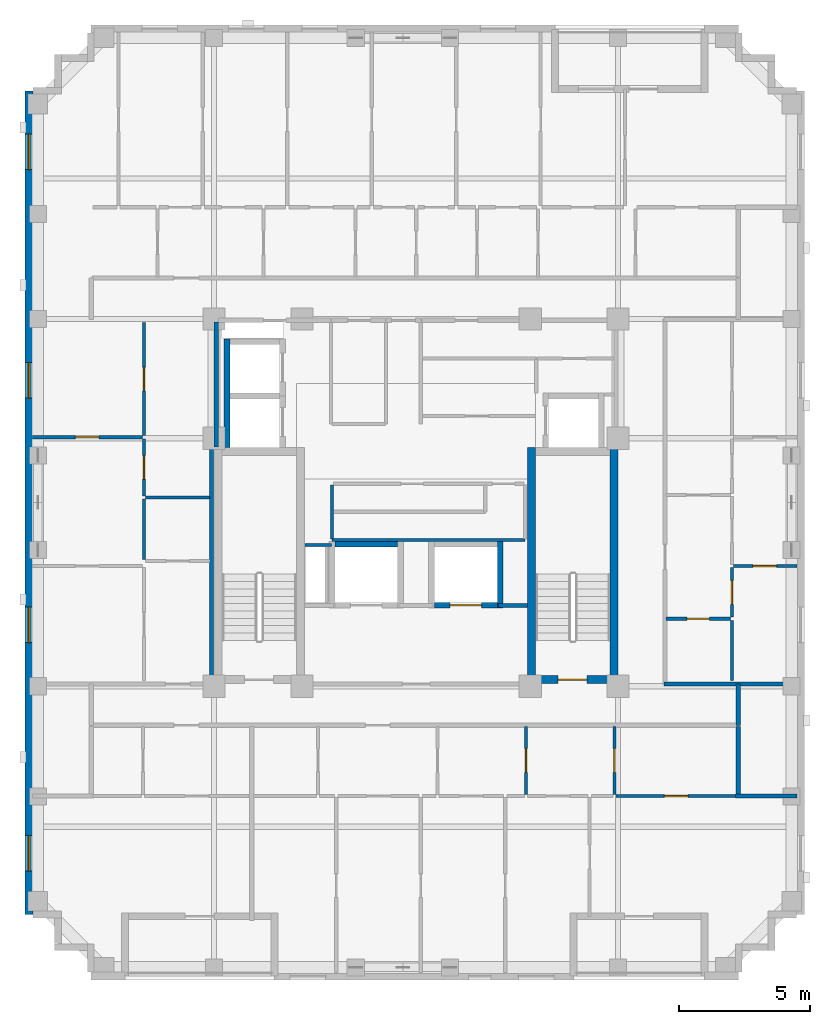
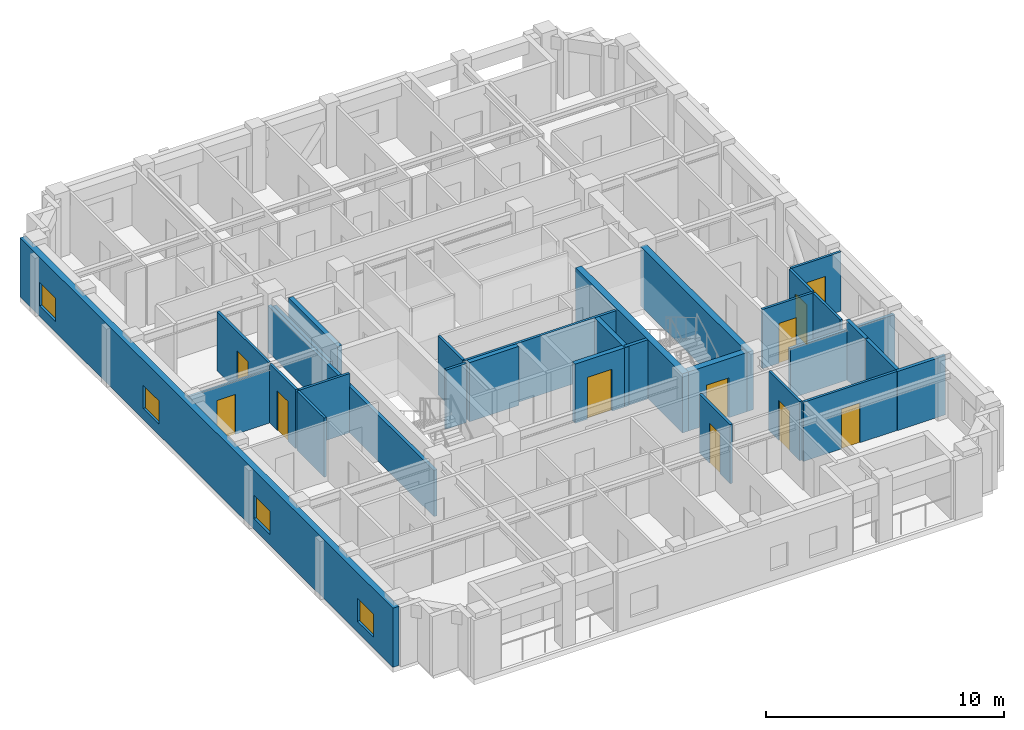
# One storey, part 4 of 11: 30 walls, 11 doors, 4 windows, 15 openings.
"""IFC4 building model written with IfcOpenShell, lengths in metres."""

from ifc_helpers import new_model, si_unit, derived_unit, direction, frame, frame_2d, origin, place, context, subcontext, project, spatial, rectangle, extrude, material, layer, layer_set, type_object, element, fill, save


model = new_model("IFC4")

# Units and contexts
model_context = context("Model", 3, precision=1e-05, world=origin(), true_north=direction((0.0, 1.0)))
body_context = subcontext(model_context, "Body", "Model", "MODEL_VIEW")
ifc_project = project(units=[si_unit("LENGTHUNIT", "METRE"), si_unit("AREAUNIT", "SQUARE_METRE"), si_unit("VOLUMEUNIT", "CUBIC_METRE"), si_unit("PLANEANGLEUNIT", "RADIAN"), si_unit("MASSUNIT", "GRAM", prefix="KILO"), derived_unit("THERMALTRANSMITTANCEUNIT", [(si_unit("MASSUNIT", "GRAM", prefix="KILO"), 1), (si_unit("TIMEUNIT", "SECOND"), -3), (si_unit("THERMODYNAMICTEMPERATUREUNIT", "KELVIN"), -1)])], contexts=[model_context])

# Site, building, storey
site_placement = place(None, origin())
site = spatial("IfcSite", under=ifc_project, at=site_placement, CompositionType="ELEMENT")
building_placement = place(site_placement, origin())
building = spatial("IfcBuilding", under=site, at=building_placement, Name="Korrvale Station Residences", CompositionType="ELEMENT")
storey_placement = place(building_placement, frame((0.0, 0.0, 197.5)))
storey = spatial("IfcBuildingStorey", under=building, at=storey_placement, Name="L57", CompositionType="ELEMENT", Elevation=197.5)

# Walls
ifc_material_1 = material(Name="Concrete C50/60", Category="concrete")
ifc_layer_1 = layer(ifc_material_1, 0.300048828125, Name="Concrete C50/60")
ifc_layer_set_1 = layer_set([ifc_layer_1], Name="Concrete C50/60")
wall_type_1 = type_object("IfcWallType", Name="WAL-CORE-300-C50", PredefinedType="SHEAR", material=ifc_layer_set_1)
for number, where, z_axis, x_axis, name in (
    (1, (29.89990234375, 15.10009765625, 0.0), (0.0, 0.0, 1.0), (0.0, 1.0, 0.0), "L57 ST-2 Core Shear Wall West"),
    (2, (33.050048828125, 15.10009765625, 0.0), (0.0, 0.0, 1.0), (0.0, 1.0, 0.0), "L57 ST-2 Core Shear Wall East"),
):
    element("IfcWall", number, at=place(storey_placement, frame(where, z_axis=z_axis, x_axis=x_axis)), inside=storey, type_object=wall_type_1, Name=name, PredefinedType="SHEAR", context=body_context, shape_type="SweptSolid", body=[
        extrude(rectangle(XDim=9.0, YDim=0.300048828125, at=frame_2d((4.5, 0.0))), origin(), (0.0, 0.0, 1.0), 3.0400390625),
    ])

# Wall, opening, door
wall_1_placement = place(storey_placement, frame((30.050048828125, 15.25, 0.0), z_axis=(0.0, 0.0, 1.0), x_axis=(1.0, 0.0, 0.0)))
wall_1 = element("IfcWall", 3, at=wall_1_placement, inside=storey, type_object=wall_type_1, Name="L57 ST-2 Core Shear Wall South", PredefinedType="SHEAR", context=body_context, shape_type="SweptSolid", body=[
    extrude(rectangle(XDim=2.849853515625, YDim=0.300048828125, at=frame_2d((1.4248046875, 0.0))), origin(), (0.0, 0.0, 1.0), 3.0400390625),
])
opening_1_placement = place(wall_1_placement, frame((0.860107421875, 0.0, 0.0)))
opening_1 = element("IfcOpeningElement", 4, at=opening_1_placement, cuts=wall_1, Name="Opening SD-1100", PredefinedType="OPENING", context=body_context, shape_type="SweptSolid", body=[
    extrude(rectangle(XDim=1.10009765625, YDim=2.050048828125, at=frame_2d((0.550048828125, 1.02490234375))), frame((0.0, 0.16015625, 0.0), z_axis=(0.0, -1.0, 0.0), x_axis=(1.0, 0.0, 0.0)), (0.0, 0.0, 1.0), 0.320068359375),
])
ifc_material_2 = material(Name="Hollow-metal fire-rated stair door with closer", Category="steel")
door_type_1 = type_object("IfcDoorType", Name="DR-STAIR-1100", OperationType="NOTDEFINED", PredefinedType="DOOR", material=ifc_material_2)
door_1_placement = place(opening_1_placement, origin())
door_1 = element("IfcDoor", 5, at=door_1_placement, inside=storey, type_object=door_type_1, Name="L57 ST-2 Exit Stair Door", OperationType="SINGLE_SWING_RIGHT", OverallHeight=2.050048828125, OverallWidth=1.10009765625, PredefinedType="DOOR", context=body_context, shape_type="SweptSolid", body=[
    extrude(rectangle(XDim=1.10009765625, YDim=2.050048828125, at=frame_2d((0.550048828125, 1.02490234375))), frame((0.0, 0.02490234375, 0.0), z_axis=(0.0, -1.0, 0.0), x_axis=(1.0, 0.0, 0.0)), (0.0, 0.0, 1.0), 0.050048828125),
])
fill(opening_1, door_1)

# Wall, openings, windows
ifc_material_3 = material(Name="Precast concrete C45/55", Category="concrete")
ifc_layer_2 = layer(ifc_material_3, 0.300048828125, Name="Precast concrete C45/55")
ifc_layer_set_2 = layer_set([ifc_layer_2], Name="Precast concrete C45/55")
wall_type_2 = type_object("IfcWallType", Name="WAL-EXT-PC300", PredefinedType="SOLIDWALL", material=ifc_layer_set_2)
wall_2_placement = place(storey_placement, frame((10.75, 6.300048828125, 0.0), z_axis=(0.0, 0.0, 1.0), x_axis=(0.0, 1.0, 0.0)))
wall_2 = element("IfcWall", 6, at=wall_2_placement, inside=storey, type_object=wall_type_2, Name="L57 West Exterior Precast Wall 1", PredefinedType="SOLIDWALL", context=body_context, shape_type="SweptSolid", body=[
    extrude(rectangle(XDim=31.39990234375, YDim=0.300048828125, at=frame_2d((15.699951171875, 0.0))), origin(), (0.0, 0.0, 1.0), 3.0400390625),
])
opening_2_placement = place(wall_2_placement, frame((1.653076171875, 0.0, 0.550048828125)))
opening_2 = element("IfcOpeningElement", 7, at=opening_2_placement, cuts=wall_2, Name="Opening W-10", PredefinedType="OPENING", context=body_context, shape_type="SweptSolid", body=[
    extrude(rectangle(XDim=1.35009765625, YDim=1.199951171875, at=frame_2d((0.675048828125, 0.60009765625))), frame((0.0, 0.16015625, 0.0), z_axis=(0.0, -1.0, 0.0), x_axis=(1.0, 0.0, 0.0)), (0.0, 0.0, 1.0), 0.320068359375),
])
opening_3_placement = place(wall_2_placement, frame((28.39599609375, 0.0, 0.550048828125)))
opening_3 = element("IfcOpeningElement", 8, at=opening_3_placement, cuts=wall_2, Name="Opening W-10", PredefinedType="OPENING", context=body_context, shape_type="SweptSolid", body=[
    extrude(rectangle(XDim=1.35009765625, YDim=1.199951171875, at=frame_2d((0.675048828125, 0.60009765625))), frame((0.0, 0.16015625, 0.0), z_axis=(0.0, -1.0, 0.0), x_axis=(1.0, 0.0, 0.0)), (0.0, 0.0, 1.0), 0.320068359375),
])
opening_4_placement = place(wall_2_placement, frame((10.366943359375, 0.0, 0.550048828125)))
opening_4 = element("IfcOpeningElement", 9, at=opening_4_placement, cuts=wall_2, Name="Opening W-10", PredefinedType="OPENING", context=body_context, shape_type="SweptSolid", body=[
    extrude(rectangle(XDim=1.35009765625, YDim=1.199951171875, at=frame_2d((0.675048828125, 0.60009765625))), frame((0.0, 0.16015625, 0.0), z_axis=(0.0, -1.0, 0.0), x_axis=(1.0, 0.0, 0.0)), (0.0, 0.0, 1.0), 0.320068359375),
])
opening_5_placement = place(wall_2_placement, frame((19.68310546875, 0.0, 0.550048828125)))
opening_5 = element("IfcOpeningElement", 10, at=opening_5_placement, cuts=wall_2, Name="Opening W-10", PredefinedType="OPENING", context=body_context, shape_type="SweptSolid", body=[
    extrude(rectangle(XDim=1.35009765625, YDim=1.199951171875, at=frame_2d((0.675048828125, 0.60009765625))), frame((0.0, 0.16015625, 0.0), z_axis=(0.0, -1.0, 0.0), x_axis=(1.0, 0.0, 0.0)), (0.0, 0.0, 1.0), 0.320068359375),
])
ifc_material_4 = material(Name="Thermally broken aluminium frame with triple low-e glazing", Category="aluminium")
window_type = type_object("IfcWindowType", Name="WIN-W10", PartitioningType="SINGLE_PANEL", PredefinedType="WINDOW", material=ifc_material_4)
window_1_placement = place(opening_2_placement, origin())
window_1 = element("IfcWindow", 11, at=window_1_placement, inside=storey, type_object=window_type, Name="L57 Punched Window 01", OverallHeight=1.199951171875, OverallWidth=1.35009765625, PartitioningType="SINGLE_PANEL", PredefinedType="WINDOW", context=body_context, shape_type="SweptSolid", body=[
    extrude(rectangle(XDim=1.35009765625, YDim=1.199951171875, at=frame_2d((0.675048828125, 0.60009765625))), frame((0.0, 0.030029296875, 0.0), z_axis=(0.0, -1.0, 0.0), x_axis=(1.0, 0.0, 0.0)), (0.0, 0.0, 1.0), 0.06005859375),
])
fill(opening_2, window_1)
window_2_placement = place(opening_3_placement, origin())
window_2 = element("IfcWindow", 12, at=window_2_placement, inside=storey, type_object=window_type, Name="L57 Punched Window 06", OverallHeight=1.199951171875, OverallWidth=1.35009765625, PartitioningType="SINGLE_PANEL", PredefinedType="WINDOW", context=body_context, shape_type="SweptSolid", body=[
    extrude(rectangle(XDim=1.35009765625, YDim=1.199951171875, at=frame_2d((0.675048828125, 0.60009765625))), frame((0.0, 0.030029296875, 0.0), z_axis=(0.0, -1.0, 0.0), x_axis=(1.0, 0.0, 0.0)), (0.0, 0.0, 1.0), 0.06005859375),
])
fill(opening_3, window_2)
window_3_placement = place(opening_4_placement, origin())
window_3 = element("IfcWindow", 13, at=window_3_placement, inside=storey, type_object=window_type, Name="L57 Punched Window 13", OverallHeight=1.199951171875, OverallWidth=1.35009765625, PartitioningType="SINGLE_PANEL", PredefinedType="WINDOW", context=body_context, shape_type="SweptSolid", body=[
    extrude(rectangle(XDim=1.35009765625, YDim=1.199951171875, at=frame_2d((0.675048828125, 0.60009765625))), frame((0.0, 0.030029296875, 0.0), z_axis=(0.0, -1.0, 0.0), x_axis=(1.0, 0.0, 0.0)), (0.0, 0.0, 1.0), 0.06005859375),
])
fill(opening_4, window_3)
window_4_placement = place(opening_5_placement, origin())
window_4 = element("IfcWindow", 14, at=window_4_placement, inside=storey, type_object=window_type, Name="L57 Punched Window 14", OverallHeight=1.199951171875, OverallWidth=1.35009765625, PartitioningType="SINGLE_PANEL", PredefinedType="WINDOW", context=body_context, shape_type="SweptSolid", body=[
    extrude(rectangle(XDim=1.35009765625, YDim=1.199951171875, at=frame_2d((0.675048828125, 0.60009765625))), frame((0.0, 0.030029296875, 0.0), z_axis=(0.0, -1.0, 0.0), x_axis=(1.0, 0.0, 0.0)), (0.0, 0.0, 1.0), 0.06005859375),
])
fill(opening_5, window_4)

# Walls
ifc_material_5 = material(Name="Acoustic steel-stud gypsum board partition", Category="steel")
ifc_layer_3 = layer(ifc_material_5, 0.1201171875, Name="Acoustic steel-stud gypsum board partition")
ifc_layer_set_3 = layer_set([ifc_layer_3], Name="Acoustic steel-stud gypsum board partition")
wall_type_3 = type_object("IfcWallType", Name="WAL-PART-125", PredefinedType="PARTITIONING", material=ifc_layer_set_3)
wall_3_placement = place(storey_placement, frame((22.280029296875, 20.3798828125, 0.0), z_axis=(0.0, 0.0, 1.0), x_axis=(-1.0, 0.0, 0.0)))
element("IfcWall", 15, at=wall_3_placement, inside=storey, type_object=wall_type_3, Name="L57 Core Partition CW-RSWT-N", PredefinedType="PARTITIONING", context=body_context, shape_type="SweptSolid", body=[
    extrude(rectangle(XDim=1.02001953125, YDim=0.1201171875, at=frame_2d((0.510009765625, 0.0))), origin(), (0.0, 0.0, 1.0), 3.0400390625),
])
wall_4_placement = place(storey_placement, frame((22.300048828125, 20.580078125, 0.0), z_axis=(0.0, 0.0, 1.0), x_axis=(1.0, 0.0, 0.0)))
element("IfcWall", 16, at=wall_4_placement, inside=storey, type_object=wall_type_3, Name="L57 Core Partition CW-FPM-S", PredefinedType="PARTITIONING", context=body_context, shape_type="SweptSolid", body=[
    extrude(rectangle(XDim=7.349853515625, YDim=0.1201171875, at=frame_2d((3.6748046875, 0.0))), origin(), (0.0, 0.0, 1.0), 3.0400390625),
])
wall_5_placement = place(storey_placement, frame((22.300048828125, 20.6201171875, 0.0), z_axis=(0.0, 0.0, 1.0), x_axis=(0.0, 1.0, 0.0)))
element("IfcWall", 17, at=wall_5_placement, inside=storey, type_object=wall_type_3, Name="L57 Core Partition CW-FPM-W", PredefinedType="PARTITIONING", context=body_context, shape_type="SweptSolid", body=[
    extrude(rectangle(XDim=2.059814453125, YDim=0.1201171875, at=frame_2d((1.02978515625, 0.0))), origin(), (0.0, 0.0, 1.0), 3.0400390625),
])

# Wall, opening, door
wall_6_placement = place(storey_placement, frame((29.68896484375, 10.8701171875, 0.0), z_axis=(0.0, 0.0, 1.0), x_axis=(0.0, 1.0, 0.0)))
wall_6 = element("IfcWall", 18, at=wall_6_placement, inside=storey, type_object=wall_type_3, Name="L57 Suite Partition U02-V23", PredefinedType="PARTITIONING", context=body_context, shape_type="SweptSolid", body=[
    extrude(rectangle(XDim=2.599853515625, YDim=0.1201171875, at=frame_2d((1.2998046875, 0.0))), origin(), (0.0, 0.0, 1.0), 3.0400390625),
])
opening_6_placement = place(wall_6_placement, frame((0.85009765625, 0.0, 0.0)))
opening_6 = element("IfcOpeningElement", 19, at=opening_6_placement, cuts=wall_6, Name="Opening DI-900", PredefinedType="OPENING", context=body_context, shape_type="SweptSolid", body=[
    extrude(rectangle(XDim=0.89990234375, YDim=2.050048828125, at=frame_2d((0.449951171875, 1.02490234375))), frame((0.0, 0.070068359375, 0.0), z_axis=(0.0, -1.0, 0.0), x_axis=(1.0, 0.0, 0.0)), (0.0, 0.0, 1.0), 0.14013671875),
])
ifc_material_6 = material(Name="Painted solid-core timber interior room door", Category="wood")
door_type_2 = type_object("IfcDoorType", Name="DR-INT-900", OperationType="NOTDEFINED", PredefinedType="DOOR", material=ifc_material_6)
door_2_placement = place(opening_6_placement, origin())
door_2 = element("IfcDoor", 20, at=door_2_placement, inside=storey, type_object=door_type_2, Name="L57 Studio Apartment L57-U02 Home Study Room Door", OperationType="SINGLE_SWING_LEFT", OverallHeight=2.050048828125, OverallWidth=0.89990234375, PredefinedType="DOOR", context=body_context, shape_type="SweptSolid", body=[
    extrude(rectangle(XDim=0.89990234375, YDim=2.050048828125, at=frame_2d((0.449951171875, 1.02490234375))), frame((0.0, 0.02490234375, 0.0), z_axis=(0.0, -1.0, 0.0), x_axis=(1.0, 0.0, 0.0)), (0.0, 0.0, 1.0), 0.050048828125),
])
fill(opening_6, door_2)

wall_7_placement = place(storey_placement, frame((33.05908203125, 10.8701171875, 0.0), z_axis=(0.0, 0.0, 1.0), x_axis=(0.0, 1.0, 0.0)))
wall_7 = element("IfcWall", 21, at=wall_7_placement, inside=storey, type_object=wall_type_3, Name="L57 Suite Partition U02-V34", PredefinedType="PARTITIONING", context=body_context, shape_type="SweptSolid", body=[
    extrude(rectangle(XDim=2.599853515625, YDim=0.1201171875, at=frame_2d((1.2998046875, 0.0))), origin(), (0.0, 0.0, 1.0), 3.0400390625),
])
opening_7_placement = place(wall_7_placement, frame((0.85009765625, 0.0, 0.0)))
opening_7 = element("IfcOpeningElement", 22, at=opening_7_placement, cuts=wall_7, Name="Opening DI-900", PredefinedType="OPENING", context=body_context, shape_type="SweptSolid", body=[
    extrude(rectangle(XDim=0.89990234375, YDim=2.050048828125, at=frame_2d((0.449951171875, 1.02490234375))), frame((0.0, 0.070068359375, 0.0), z_axis=(0.0, -1.0, 0.0), x_axis=(1.0, 0.0, 0.0)), (0.0, 0.0, 1.0), 0.14013671875),
])
door_3_placement = place(opening_7_placement, origin())
door_3 = element("IfcDoor", 23, at=door_3_placement, inside=storey, type_object=door_type_2, Name="L57 Studio Apartment L57-U02 Home Study Room Door", OperationType="SINGLE_SWING_LEFT", OverallHeight=2.050048828125, OverallWidth=0.89990234375, PredefinedType="DOOR", context=body_context, shape_type="SweptSolid", body=[
    extrude(rectangle(XDim=0.89990234375, YDim=2.050048828125, at=frame_2d((0.449951171875, 1.02490234375))), frame((0.0, 0.02490234375, 0.0), z_axis=(0.0, -1.0, 0.0), x_axis=(1.0, 0.0, 0.0)), (0.0, 0.0, 1.0), 0.050048828125),
])
fill(opening_7, door_3)

wall_8_placement = place(storey_placement, frame((33.118896484375, 10.81005859375, 0.0), z_axis=(0.0, 0.0, 1.0), x_axis=(1.0, 0.0, 0.0)))
wall_8 = element("IfcWall", 24, at=wall_8_placement, inside=storey, type_object=wall_type_3, Name="L57 Suite Partition U02-H49", PredefinedType="PARTITIONING", context=body_context, shape_type="SweptSolid", body=[
    extrude(rectangle(XDim=4.60107421875, YDim=0.1201171875, at=frame_2d((2.300537109375, 0.0))), origin(), (0.0, 0.0, 1.0), 3.0400390625),
])
opening_8_placement = place(wall_8_placement, frame((1.85009765625, 0.0, 0.0)))
opening_8 = element("IfcOpeningElement", 25, at=opening_8_placement, cuts=wall_8, Name="Opening DI-900", PredefinedType="OPENING", context=body_context, shape_type="SweptSolid", body=[
    extrude(rectangle(XDim=0.89990234375, YDim=2.050048828125, at=frame_2d((0.449951171875, 1.02490234375))), frame((0.0, 0.070068359375, 0.0), z_axis=(0.0, -1.0, 0.0), x_axis=(1.0, 0.0, 0.0)), (0.0, 0.0, 1.0), 0.14013671875),
])
door_4_placement = place(opening_8_placement, origin())
door_4 = element("IfcDoor", 26, at=door_4_placement, inside=storey, type_object=door_type_2, Name="L57 Studio Apartment L57-U02 Home Study Room Door", OperationType="SINGLE_SWING_LEFT", OverallHeight=2.050048828125, OverallWidth=0.89990234375, PredefinedType="DOOR", context=body_context, shape_type="SweptSolid", body=[
    extrude(rectangle(XDim=0.89990234375, YDim=2.050048828125, at=frame_2d((0.449951171875, 1.02490234375))), frame((0.0, 0.02490234375, 0.0), z_axis=(0.0, -1.0, 0.0), x_axis=(1.0, 0.0, 0.0)), (0.0, 0.0, 1.0), 0.050048828125),
])
fill(opening_8, door_4)

# Wall
wall_9_placement = place(storey_placement, frame((15.18994140625, 22.18994140625, 0.0), z_axis=(0.0, 0.0, 1.0), x_axis=(1.0, 0.0, 0.0)))
element("IfcWall", 27, at=wall_9_placement, inside=storey, type_object=wall_type_3, Name="L57 Suite Partition U04-H01", PredefinedType="PARTITIONING", context=body_context, shape_type="SweptSolid", body=[
    extrude(rectangle(XDim=2.449951171875, YDim=0.1201171875, at=frame_2d((1.22509765625, 0.0))), origin(), (0.0, 0.0, 1.0), 3.0400390625),
])

# Wall, opening, door
wall_10_placement = place(storey_placement, frame((15.1298828125, 22.25, 0.0), z_axis=(0.0, 0.0, 1.0), x_axis=(0.0, 1.0, 0.0)))
wall_10 = element("IfcWall", 28, at=wall_10_placement, inside=storey, type_object=wall_type_3, Name="L57 Suite Partition U04-V04", PredefinedType="PARTITIONING", context=body_context, shape_type="SweptSolid", body=[
    extrude(rectangle(XDim=2.181884765625, YDim=0.1201171875, at=frame_2d((1.0908203125, 0.0))), origin(), (0.0, 0.0, 1.0), 3.0400390625),
])
opening_9_placement = place(wall_10_placement, frame((0.64111328125, 0.0, 0.0)))
opening_9 = element("IfcOpeningElement", 29, at=opening_9_placement, cuts=wall_10, Name="Opening DI-900", PredefinedType="OPENING", context=body_context, shape_type="SweptSolid", body=[
    extrude(rectangle(XDim=0.89990234375, YDim=2.050048828125, at=frame_2d((0.449951171875, 1.02490234375))), frame((0.0, 0.070068359375, 0.0), z_axis=(0.0, -1.0, 0.0), x_axis=(1.0, 0.0, 0.0)), (0.0, 0.0, 1.0), 0.14013671875),
])
door_5_placement = place(opening_9_placement, origin())
door_5 = element("IfcDoor", 30, at=door_5_placement, inside=storey, type_object=door_type_2, Name="L57 Apartment 2BR L57-U04 Wardrobe Storage Room Door", OperationType="SINGLE_SWING_LEFT", OverallHeight=2.050048828125, OverallWidth=0.89990234375, PredefinedType="DOOR", context=body_context, shape_type="SweptSolid", body=[
    extrude(rectangle(XDim=0.89990234375, YDim=2.050048828125, at=frame_2d((0.449951171875, 1.02490234375))), frame((0.0, 0.02490234375, 0.0), z_axis=(0.0, -1.0, 0.0), x_axis=(1.0, 0.0, 0.0)), (0.0, 0.0, 1.0), 0.050048828125),
])
fill(opening_9, door_5)

wall_11_placement = place(storey_placement, frame((15.1298828125, 24.552001953125, 0.0), z_axis=(0.0, 0.0, 1.0), x_axis=(0.0, 1.0, 0.0)))
wall_11 = element("IfcWall", 31, at=wall_11_placement, inside=storey, type_object=wall_type_3, Name="L57 Suite Partition U04-V05", PredefinedType="PARTITIONING", context=body_context, shape_type="SweptSolid", body=[
    extrude(rectangle(XDim=4.30810546875, YDim=0.1201171875, at=frame_2d((2.154052734375, 0.0))), origin(), (0.0, 0.0, 1.0), 3.0400390625),
])
opening_10_placement = place(wall_11_placement, frame((1.7041015625, 0.0, 0.0)))
opening_10 = element("IfcOpeningElement", 32, at=opening_10_placement, cuts=wall_11, Name="Opening DI-900", PredefinedType="OPENING", context=body_context, shape_type="SweptSolid", body=[
    extrude(rectangle(XDim=0.89990234375, YDim=2.050048828125, at=frame_2d((0.449951171875, 1.02490234375))), frame((0.0, 0.070068359375, 0.0), z_axis=(0.0, -1.0, 0.0), x_axis=(1.0, 0.0, 0.0)), (0.0, 0.0, 1.0), 0.14013671875),
])
door_6_placement = place(opening_10_placement, origin())
door_6 = element("IfcDoor", 33, at=door_6_placement, inside=storey, type_object=door_type_2, Name="L57 Apartment 2BR L57-U04 Wardrobe Storage Room Door", OperationType="SINGLE_SWING_RIGHT", OverallHeight=2.050048828125, OverallWidth=0.89990234375, PredefinedType="DOOR", context=body_context, shape_type="SweptSolid", body=[
    extrude(rectangle(XDim=0.89990234375, YDim=2.050048828125, at=frame_2d((0.449951171875, 1.02490234375))), frame((0.0, 0.02490234375, 0.0), z_axis=(0.0, -1.0, 0.0), x_axis=(1.0, 0.0, 0.0)), (0.0, 0.0, 1.0), 0.050048828125),
])
fill(opening_10, door_6)

# Wall
wall_12_placement = place(storey_placement, frame((15.1298828125, 19.830078125, 0.0), z_axis=(0.0, 0.0, 1.0), x_axis=(0.0, 1.0, 0.0)))
element("IfcWall", 34, at=wall_12_placement, inside=storey, type_object=wall_type_3, Name="L57 Suite Partition U04-V14", PredefinedType="PARTITIONING", context=body_context, shape_type="SweptSolid", body=[
    extrude(rectangle(XDim=2.2998046875, YDim=0.1201171875, at=frame_2d((1.14990234375, 0.0))), origin(), (0.0, 0.0, 1.0), 3.0400390625),
])

# Wall, opening, door
wall_13_placement = place(storey_placement, frame((10.8798828125, 24.491943359375, 0.0), z_axis=(0.0, 0.0, 1.0), x_axis=(1.0, 0.0, 0.0)))
wall_13 = element("IfcWall", 35, at=wall_13_placement, inside=storey, type_object=wall_type_3, Name="L57 Suite Partition U04-H45", PredefinedType="PARTITIONING", context=body_context, shape_type="SweptSolid", body=[
    extrude(rectangle(XDim=4.190185546875, YDim=0.1201171875, at=frame_2d((2.09521484375, 0.0))), origin(), (0.0, 0.0, 1.0), 2.721923828125),
])
opening_11_placement = place(wall_13_placement, frame((1.6298828125, 0.0, 0.0)))
opening_11 = element("IfcOpeningElement", 36, at=opening_11_placement, cuts=wall_13, Name="Opening DI-900", PredefinedType="OPENING", context=body_context, shape_type="SweptSolid", body=[
    extrude(rectangle(XDim=0.89990234375, YDim=2.050048828125, at=frame_2d((0.449951171875, 1.02490234375))), frame((0.0, 0.070068359375, 0.0), z_axis=(0.0, -1.0, 0.0), x_axis=(1.0, 0.0, 0.0)), (0.0, 0.0, 1.0), 0.14013671875),
])
door_7_placement = place(opening_11_placement, origin())
door_7 = element("IfcDoor", 37, at=door_7_placement, inside=storey, type_object=door_type_2, Name="L57 Apartment 2BR L57-U04 Living and Dining Room Door", OperationType="SINGLE_SWING_RIGHT", OverallHeight=2.050048828125, OverallWidth=0.89990234375, PredefinedType="DOOR", context=body_context, shape_type="SweptSolid", body=[
    extrude(rectangle(XDim=0.89990234375, YDim=2.050048828125, at=frame_2d((0.449951171875, 1.02490234375))), frame((0.0, 0.02490234375, 0.0), z_axis=(0.0, -1.0, 0.0), x_axis=(1.0, 0.0, 0.0)), (0.0, 0.0, 1.0), 0.050048828125),
])
fill(opening_11, door_7)

wall_14_placement = place(storey_placement, frame((35.030029296875, 17.570068359375, 0.0), z_axis=(0.0, 0.0, 1.0), x_axis=(1.0, 0.0, 0.0)))
wall_14 = element("IfcWall", 38, at=wall_14_placement, inside=storey, type_object=wall_type_3, Name="L57 Suite Partition U05-H12", PredefinedType="PARTITIONING", context=body_context, shape_type="SweptSolid", body=[
    extrude(rectangle(XDim=2.449951171875, YDim=0.1201171875, at=frame_2d((1.22509765625, 0.0))), origin(), (0.0, 0.0, 1.0), 3.0400390625),
])
opening_12_placement = place(wall_14_placement, frame((0.794921875, 0.0, 0.0)))
opening_12 = element("IfcOpeningElement", 39, at=opening_12_placement, cuts=wall_14, Name="Opening DB-860", PredefinedType="OPENING", context=body_context, shape_type="SweptSolid", body=[
    extrude(rectangle(XDim=0.860107421875, YDim=2.050048828125, at=frame_2d((0.43017578125, 1.02490234375))), frame((0.0, 0.070068359375, 0.0), z_axis=(0.0, -1.0, 0.0), x_axis=(1.0, 0.0, 0.0)), (0.0, 0.0, 1.0), 0.14013671875),
])
ifc_material_7 = material(Name="Moisture-resistant solid-core bathroom door", Category="timber")
door_type_3 = type_object("IfcDoorType", Name="DR-BATH-860", OperationType="NOTDEFINED", PredefinedType="DOOR", material=ifc_material_7)
door_8_placement = place(opening_12_placement, origin())
door_8 = element("IfcDoor", 40, at=door_8_placement, inside=storey, type_object=door_type_3, Name="L57 Apartment 2BR L57-U05 Bathroom Door", OperationType="SINGLE_SWING_RIGHT", OverallHeight=2.050048828125, OverallWidth=0.860107421875, PredefinedType="DOOR", context=body_context, shape_type="SweptSolid", body=[
    extrude(rectangle(XDim=0.860107421875, YDim=2.050048828125, at=frame_2d((0.43017578125, 1.02490234375))), frame((0.0, 0.02490234375, 0.0), z_axis=(0.0, -1.0, 0.0), x_axis=(1.0, 0.0, 0.0)), (0.0, 0.0, 1.0), 0.050048828125),
])
fill(opening_12, door_8)

# Wall
wall_15_placement = place(storey_placement, frame((37.5400390625, 15.2099609375, 0.0), z_axis=(0.0, 0.0, 1.0), x_axis=(0.0, 1.0, 0.0)))
element("IfcWall", 41, at=wall_15_placement, inside=storey, type_object=wall_type_3, Name="L57 Suite Partition U05-V13", PredefinedType="PARTITIONING", context=body_context, shape_type="SweptSolid", body=[
    extrude(rectangle(XDim=2.300048828125, YDim=0.1201171875, at=frame_2d((1.14990234375, 0.0))), origin(), (0.0, 0.0, 1.0), 3.0400390625),
])

# Wall, opening, door
wall_16_placement = place(storey_placement, frame((37.5400390625, 17.6298828125, 0.0), z_axis=(0.0, 0.0, 1.0), x_axis=(0.0, 1.0, 0.0)))
wall_16 = element("IfcWall", 42, at=wall_16_placement, inside=storey, type_object=wall_type_3, Name="L57 Suite Partition U05-V23", PredefinedType="PARTITIONING", context=body_context, shape_type="SweptSolid", body=[
    extrude(rectangle(XDim=1.88818359375, YDim=0.1201171875, at=frame_2d((0.944091796875, 0.0))), origin(), (0.0, 0.0, 1.0), 3.0400390625),
])
opening_13_placement = place(wall_16_placement, frame((0.493896484375, 0.0, 0.0)))
opening_13 = element("IfcOpeningElement", 43, at=opening_13_placement, cuts=wall_16, Name="Opening DI-900", PredefinedType="OPENING", context=body_context, shape_type="SweptSolid", body=[
    extrude(rectangle(XDim=0.89990234375, YDim=2.050048828125, at=frame_2d((0.449951171875, 1.02490234375))), frame((0.0, 0.070068359375, 0.0), z_axis=(0.0, -1.0, 0.0), x_axis=(1.0, 0.0, 0.0)), (0.0, 0.0, 1.0), 0.14013671875),
])
door_9_placement = place(opening_13_placement, origin())
door_9 = element("IfcDoor", 44, at=door_9_placement, inside=storey, type_object=door_type_2, Name="L57 Apartment 2BR L57-U05 Kitchen Door", OperationType="SINGLE_SWING_LEFT", OverallHeight=2.050048828125, OverallWidth=0.89990234375, PredefinedType="DOOR", context=body_context, shape_type="SweptSolid", body=[
    extrude(rectangle(XDim=0.89990234375, YDim=2.050048828125, at=frame_2d((0.449951171875, 1.02490234375))), frame((0.0, 0.02490234375, 0.0), z_axis=(0.0, -1.0, 0.0), x_axis=(1.0, 0.0, 0.0)), (0.0, 0.0, 1.0), 0.050048828125),
])
fill(opening_13, door_9)

wall_17_placement = place(storey_placement, frame((37.60009765625, 19.577880859375, 0.0), z_axis=(0.0, 0.0, 1.0), x_axis=(1.0, 0.0, 0.0)))
wall_17 = element("IfcWall", 45, at=wall_17_placement, inside=storey, type_object=wall_type_3, Name="L57 Suite Partition U05-H34", PredefinedType="PARTITIONING", context=body_context, shape_type="SweptSolid", body=[
    extrude(rectangle(XDim=2.419921875, YDim=0.1201171875, at=frame_2d((1.2099609375, 0.0))), origin(), (0.0, 0.0, 1.0), 3.0400390625),
])
opening_14_placement = place(wall_17_placement, frame((0.7451171875, 0.0, 0.0)))
opening_14 = element("IfcOpeningElement", 46, at=opening_14_placement, cuts=wall_17, Name="Opening DI-900", PredefinedType="OPENING", context=body_context, shape_type="SweptSolid", body=[
    extrude(rectangle(XDim=0.89990234375, YDim=2.050048828125, at=frame_2d((0.449951171875, 1.02490234375))), frame((0.0, 0.070068359375, 0.0), z_axis=(0.0, -1.0, 0.0), x_axis=(1.0, 0.0, 0.0)), (0.0, 0.0, 1.0), 0.14013671875),
])
door_10_placement = place(opening_14_placement, origin())
door_10 = element("IfcDoor", 47, at=door_10_placement, inside=storey, type_object=door_type_2, Name="L57 Apartment 2BR L57-U05 Bedroom 1 Door", OperationType="SINGLE_SWING_LEFT", OverallHeight=2.050048828125, OverallWidth=0.89990234375, PredefinedType="DOOR", context=body_context, shape_type="SweptSolid", body=[
    extrude(rectangle(XDim=0.89990234375, YDim=2.050048828125, at=frame_2d((0.449951171875, 1.02490234375))), frame((0.0, 0.02490234375, 0.0), z_axis=(0.0, -1.0, 0.0), x_axis=(1.0, 0.0, 0.0)), (0.0, 0.0, 1.0), 0.050048828125),
])
fill(opening_14, door_10)

# Walls
ifc_material_8 = material(Name="Fire-rated twin-stud gypsum and mineral wool shaftwall assembly", Category="gypsum")
ifc_layer_4 = layer(ifc_material_8, 0.159912109375, Name="Fire-rated twin-stud gypsum and mineral wool shaftwall assembly")
ifc_layer_set_4 = layer_set([ifc_layer_4], Name="Fire-rated twin-stud gypsum and mineral wool shaftwall assembly")
wall_type_4 = type_object("IfcWallType", Name="WAL-PART-200", PredefinedType="PARTITIONING", material=ifc_layer_set_4)
wall_18_placement = place(storey_placement, frame((28.64990234375, 18.080078125, 0.0), z_axis=(0.0, 0.0, 1.0), x_axis=(1.0, 0.0, 0.0)))
element("IfcWall", 48, at=wall_18_placement, inside=storey, type_object=wall_type_4, Name="L57 Core Partition CW-FFL-N3", PredefinedType="PARTITIONING", context=body_context, shape_type="SweptSolid", body=[
    extrude(rectangle(XDim=1.10009765625, YDim=0.159912109375, at=frame_2d((0.550048828125, 0.0))), origin(), (0.0, 0.0, 1.0), 3.0400390625),
])
wall_19_placement = place(storey_placement, frame((17.8798828125, 24.1201171875, 0.0), z_axis=(0.0, 0.0, 1.0), x_axis=(0.0, 1.0, 0.0)))
element("IfcWall", 49, at=wall_19_placement, inside=storey, type_object=wall_type_4, Name="L57 Core Partition CW-W-N", PredefinedType="PARTITIONING", context=body_context, shape_type="SweptSolid", body=[
    extrude(rectangle(XDim=4.759765625, YDim=0.159912109375, at=frame_2d((2.3798828125, 0.0))), origin(), (0.0, 0.0, 1.0), 2.375),
])
wall_20_placement = place(storey_placement, frame((37.780029296875, 13.510009765625, 0.0), z_axis=(0.0, 0.0, 1.0), x_axis=(0.0, 1.0, 0.0)))
element("IfcWall", 50, at=wall_20_placement, inside=storey, type_object=wall_type_4, Name="L57 Corridor South East Cap", PredefinedType="PARTITIONING", context=body_context, shape_type="SweptSolid", body=[
    extrude(rectangle(XDim=1.580078125, YDim=0.159912109375, at=frame_2d((0.7900390625, 0.0))), origin(), (0.0, 0.0, 1.0), 3.0400390625),
])
wall_21_placement = place(storey_placement, frame((34.949951171875, 15.090087890625, 0.0), z_axis=(0.0, 0.0, 1.0), x_axis=(1.0, 0.0, 0.0)))
element("IfcWall", 51, at=wall_21_placement, inside=storey, type_object=wall_type_4, Name="L57 East Wing South Corridor Wall", PredefinedType="PARTITIONING", context=body_context, shape_type="SweptSolid", body=[
    extrude(rectangle(XDim=5.070068359375, YDim=0.159912109375, at=frame_2d((2.53515625, 0.0))), origin(), (0.0, 0.0, 1.0), 2.555908203125),
])
wall_22_placement = place(storey_placement, frame((37.679931640625, 10.81005859375, 0.0), z_axis=(0.0, 0.0, 1.0), x_axis=(1.0, 0.0, 0.0)))
element("IfcWall", 52, at=wall_22_placement, inside=storey, type_object=wall_type_4, Name="L57 Corner Step Wall U02-R", PredefinedType="PARTITIONING", context=body_context, shape_type="SweptSolid", body=[
    extrude(rectangle(XDim=2.340087890625, YDim=0.159912109375, at=frame_2d((1.169921875, 0.0))), origin(), (0.0, 0.0, 1.0), 3.0400390625),
])
wall_23_placement = place(storey_placement, frame((37.780029296875, 10.81005859375, 0.0), z_axis=(0.0, 0.0, 1.0), x_axis=(0.0, 1.0, 0.0)))
element("IfcWall", 53, at=wall_23_placement, inside=storey, type_object=wall_type_4, Name="L57 Corner Step Cheek U02-R", PredefinedType="PARTITIONING", context=body_context, shape_type="SweptSolid", body=[
    extrude(rectangle(XDim=2.659912109375, YDim=0.159912109375, at=frame_2d((1.330078125, 0.0))), origin(), (0.0, 0.0, 1.0), 3.0400390625),
])
wall_24_placement = place(storey_placement, frame((17.699951171875, 15.02001953125, 0.0), z_axis=(0.0, 0.0, 1.0), x_axis=(0.0, 1.0, 0.0)))
element("IfcWall", 54, at=wall_24_placement, inside=storey, type_object=wall_type_4, Name="L57 Rated Corridor Wall W", PredefinedType="PARTITIONING", context=body_context, shape_type="SweptSolid", body=[
    extrude(rectangle(XDim=13.97998046875, YDim=0.159912109375, at=frame_2d((6.989990234375, 0.0))), origin(), (0.0, 0.0, 1.0), 2.375),
])
ifc_layer_5 = layer(ifc_material_1, 0.219970703125, Name="Concrete C50/60")
ifc_layer_set_5 = layer_set([ifc_layer_5], Name="Concrete C50/60")
wall_type_5 = type_object("IfcWallType", Name="WAL-SHAFT-220-C50", PredefinedType="SHEAR", material=ifc_layer_set_5)
wall_25_placement = place(storey_placement, frame((18.2900390625, 24.10009765625, 0.0), z_axis=(0.0, 0.0, 1.0), x_axis=(0.0, 1.0, 0.0)))
element("IfcWall", 55, at=wall_25_placement, inside=storey, type_object=wall_type_5, Name="L57 Elevator PH-1 Hoistway Wall West", PredefinedType="SHEAR", context=body_context, shape_type="SweptSolid", body=[
    extrude(rectangle(XDim=4.139892578125, YDim=0.219970703125, at=frame_2d((2.06982421875, 0.0))), origin(), (0.0, 0.0, 1.0), 3.0400390625),
])
wall_26_placement = place(storey_placement, frame((22.39990234375, 20.409912109375, 0.0), z_axis=(0.0, 0.0, 1.0), x_axis=(1.0, 0.0, 0.0)))
element("IfcWall", 56, at=wall_26_placement, inside=storey, type_object=wall_type_5, Name="L57 Elevator FFL-1 Hoistway Wall North", PredefinedType="SHEAR", context=body_context, shape_type="SweptSolid", body=[
    extrude(rectangle(XDim=2.400146484375, YDim=0.219970703125, at=frame_2d((1.2001953125, 0.0))), origin(), (0.0, 0.0, 1.0), 3.0400390625),
])

# Wall, opening, door
wall_27_placement = place(storey_placement, frame((26.199951171875, 18.090087890625, 0.0), z_axis=(0.0, 0.0, 1.0), x_axis=(1.0, 0.0, 0.0)))
wall_27 = element("IfcWall", 57, at=wall_27_placement, inside=storey, type_object=wall_type_5, Name="L57 Elevator FFL-2 Hoistway Wall South", PredefinedType="SHEAR", context=body_context, shape_type="SweptSolid", body=[
    extrude(rectangle(XDim=2.400146484375, YDim=0.219970703125, at=frame_2d((1.2001953125, 0.0))), origin(), (0.0, 0.0, 1.0), 3.0400390625),
])
opening_15_placement = place(wall_27_placement, frame((0.60009765625, 0.0, 0.0)))
opening_15 = element("IfcOpeningElement", 58, at=opening_15_placement, cuts=wall_27, Name="Opening LD-FF1200", PredefinedType="OPENING", context=body_context, shape_type="SweptSolid", body=[
    extrude(rectangle(XDim=1.199951171875, YDim=2.14990234375, at=frame_2d((0.60009765625, 1.074951171875))), frame((0.0, 0.1201171875, 0.0), z_axis=(0.0, -1.0, 0.0), x_axis=(1.0, 0.0, 0.0)), (0.0, 0.0, 1.0), 0.239990234375),
])
ifc_material_9 = material(Name="Stainless-steel firefighter elevator landing sliding door", Category="steel")
door_type_4 = type_object("IfcDoorType", Name="DR-LIFT-FF1200", OperationType="SLIDING_TO_LEFT", PredefinedType="DOOR", material=ifc_material_9)
door_11_placement = place(opening_15_placement, origin())
door_11 = element("IfcDoor", 59, at=door_11_placement, inside=storey, type_object=door_type_4, Name="L57 Elevator FFL-2 Sliding Landing Door", OperationType="SLIDING_TO_LEFT", OverallHeight=2.14990234375, OverallWidth=1.199951171875, PredefinedType="DOOR", context=body_context, shape_type="SweptSolid", body=[
    extrude(rectangle(XDim=1.199951171875, YDim=2.14990234375, at=frame_2d((0.60009765625, 1.074951171875))), frame((0.0, 0.02490234375, 0.0), z_axis=(0.0, -1.0, 0.0), x_axis=(1.0, 0.0, 0.0)), (0.0, 0.0, 1.0), 0.050048828125),
])
fill(opening_15, door_11)

# Wall
wall_28_placement = place(storey_placement, frame((28.7099609375, 17.97998046875, 0.0), z_axis=(0.0, 0.0, 1.0), x_axis=(0.0, 1.0, 0.0)))
element("IfcWall", 60, at=wall_28_placement, inside=storey, type_object=wall_type_5, Name="L57 Elevator FFL-2 Hoistway Wall East", PredefinedType="SHEAR", context=body_context, shape_type="SweptSolid", body=[
    extrude(rectangle(XDim=2.5400390625, YDim=0.219970703125, at=frame_2d((1.27001953125, 0.0))), origin(), (0.0, 0.0, 1.0), 3.0400390625),
])

save(model, "model.ifc")
